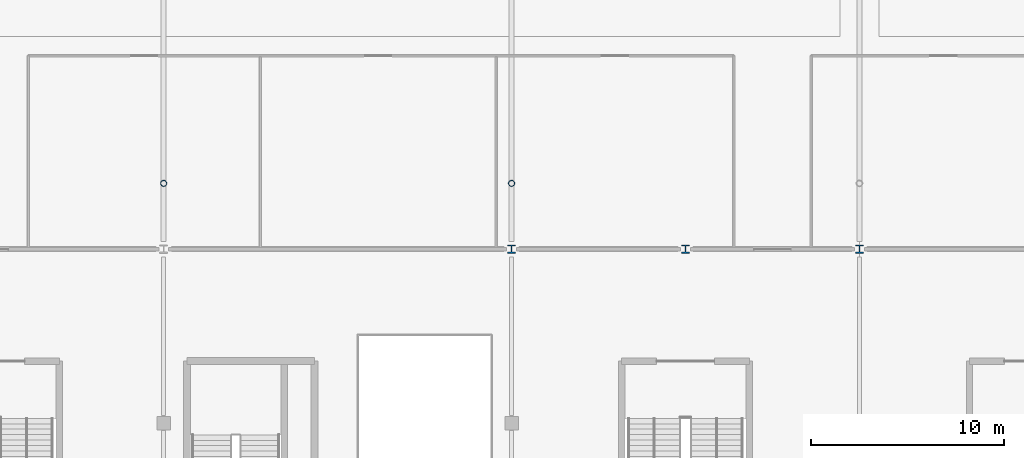
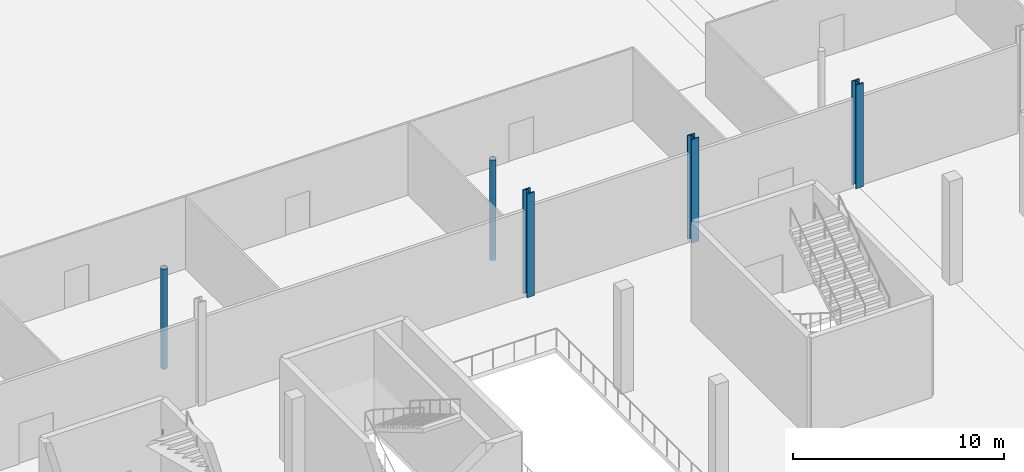
# One storey, part 4 of 84: 5 columns.
"""IFC4 building model written with IfcOpenShell, lengths in metres."""

import ifcopenshell
import ifcopenshell.guid

model = None  # the IFC model being written
_history = None  # IfcOwnerHistory: only IFC2X3 demands one
_inside = {}  # id of a spatial element -> (the spatial element, [elements in it])
_under = {}  # id of a project, library or spatial element -> (it, [spatial elements below it])
_declared = {}  # id of a project -> (the project, [libraries it declares])
_typed = {}  # id of a type object -> (the type object, [elements of that type])
_made_of = {}  # id of a material, layer set ... -> (it, [elements and type objects made of it])


def new_model(schema):
    """Start an empty IFC model of exactly this schema.

    Asked for "IFC4X3", IfcOpenShell would pick the latest addendum, in which some entities
    have other attributes; the version numbers below select the first issue.
    IFC2X3 requires an IfcOwnerHistory on every rooted entity: one is made here for all.
    """
    global model, _history
    if schema == "IFC4X3":
        model = ifcopenshell.file(schema_version=(4, 3, 0, 0))
    else:
        model = ifcopenshell.file(schema=schema)
    _inside.clear()
    _under.clear()
    _declared.clear()
    _typed.clear()
    _made_of.clear()
    _history = None
    if model.schema == "IFC2X3":
        org = make("IfcOrganization", Name="unknown")
        user = make(
            "IfcPersonAndOrganization",
            ThePerson=make("IfcPerson", FamilyName="unknown"),
            TheOrganization=org,
        )
        app = make(
            "IfcApplication",
            ApplicationDeveloper=org,
            Version="unknown",
            ApplicationFullName="unknown",
            ApplicationIdentifier="unknown",
        )
        _history = make(
            "IfcOwnerHistory",
            OwningUser=user,
            OwningApplication=app,
            ChangeAction="ADDED",
            CreationDate=0,
        )
    return model


def make(cls, **values):
    """One entity of the class cls with the attributes given. An attribute that is None is left unset."""
    return model.create_entity(
        cls, **{name: value for name, value in values.items() if value is not None}
    )


def rooted(cls, **values):
    """An entity with a GlobalId (a new one), such as an element, a storey or a relation."""
    return make(cls, GlobalId=ifcopenshell.guid.new(), OwnerHistory=_history, **values)


def si_unit(unit_type, name, prefix=None):
    """IfcSIUnit, for example si_unit("LENGTHUNIT", "METRE", prefix="MILLI")."""
    return make("IfcSIUnit", UnitType=unit_type, Prefix=prefix, Name=name)


def assignment(units):
    """IfcUnitAssignment: the units of a project."""
    return None if units is None else make("IfcUnitAssignment", Units=units)


def point(xyz):
    """IfcCartesianPoint."""
    return None if xyz is None else make("IfcCartesianPoint", Coordinates=xyz)


def direction(xyz):
    """IfcDirection."""
    return None if xyz is None else make("IfcDirection", DirectionRatios=xyz)


def frame(location, z_axis=None, x_axis=None):
    """IfcAxis2Placement3D, a coordinate frame: its origin and axes. An axis left out is left unset."""
    return make(
        "IfcAxis2Placement3D",
        Location=point(location),
        Axis=direction(z_axis),
        RefDirection=direction(x_axis),
    )


def frame_2d(location, x_axis=None):
    """IfcAxis2Placement2D, a coordinate frame in the plane: its origin and x axis."""
    return make(
        "IfcAxis2Placement2D", Location=point(location), RefDirection=direction(x_axis)
    )


def origin():
    """The frame at (0, 0, 0) with its axes left unset."""
    return frame((0.0, 0.0, 0.0))


def origin_2d():
    """The frame at (0, 0) in the plane with its x axis left unset."""
    return frame_2d((0.0, 0.0))


def place(relative_to, where):
    """IfcLocalPlacement: puts the frame where relative to a parent placement (None: the world)."""
    return make(
        "IfcLocalPlacement", PlacementRelTo=relative_to, RelativePlacement=where
    )


def context(
    kind, dimensions, precision=None, world=None, true_north=None, identifier=None
):
    """IfcGeometricRepresentationContext, for example the 3D "Model" context."""
    return make(
        "IfcGeometricRepresentationContext",
        ContextIdentifier=identifier,
        ContextType=kind,
        CoordinateSpaceDimension=dimensions,
        Precision=precision,
        WorldCoordinateSystem=world,
        TrueNorth=true_north,
    )


def subcontext(parent, identifier, kind, view, scale=None):
    """IfcGeometricRepresentationSubContext, for example "Body" below "Model"."""
    return make(
        "IfcGeometricRepresentationSubContext",
        ContextIdentifier=identifier,
        ContextType=kind,
        ParentContext=parent,
        TargetScale=scale,
        TargetView=view,
    )


def project(units=None, contexts=None):
    """IfcProject with its units and contexts."""
    return rooted(
        "IfcProject",
        Name="project",
        RepresentationContexts=contexts,
        UnitsInContext=assignment(units),
    )


def spatial(cls, under=None, at=None, **own):
    """A site, building, storey or space (cls), placed at a placement, below another one or the project."""
    s = rooted(cls, ObjectPlacement=at, **own)
    if under is not None:
        _under.setdefault(under.id(), (under, []))[1].append(s)
    return s


def profile(cls, at=None, kind="AREA", **sizes):
    """A parametric profile (cls). Its sizes go by their IFC names, for example OverallWidth=200.0."""
    return make(cls, ProfileType=kind, Position=at, **sizes)


def hollow_circle(**sizes):
    """IfcCircleHollowProfileDef."""
    return profile("IfcCircleHollowProfileDef", **sizes)


def i_section(**sizes):
    """IfcIShapeProfileDef."""
    return profile("IfcIShapeProfileDef", **sizes)


def extrude(swept, where, along, depth):
    """IfcExtrudedAreaSolid: the profile swept, set in the frame where, extruded along a direction by depth."""
    return make(
        "IfcExtrudedAreaSolid",
        SweptArea=swept,
        Position=where,
        ExtrudedDirection=direction(along),
        Depth=depth,
    )


def shape(context_of_items, identifier, shape_type, items):
    """IfcShapeRepresentation: the items that make up one representation, for example the "Body"."""
    return make(
        "IfcShapeRepresentation",
        ContextOfItems=context_of_items,
        RepresentationIdentifier=identifier,
        RepresentationType=shape_type,
        Items=items,
    )


def material(Name=None, Category=None):
    """IfcMaterial."""
    return make("IfcMaterial", Name=Name, Category=Category)


def material_profile(
    of_material, cross_section, Name=None, Category=None, Priority=None
):
    """IfcMaterialProfile: a cross section and its material."""
    return make(
        "IfcMaterialProfile",
        Name=Name,
        Material=of_material,
        Profile=cross_section,
        Priority=Priority,
        Category=Category,
    )


def profile_set(profiles, Name=None, composite=None):
    """IfcMaterialProfileSet."""
    return make(
        "IfcMaterialProfileSet",
        Name=Name,
        MaterialProfiles=profiles,
        CompositeProfile=composite,
    )


def made_of(thing, what):
    """Note that an element or type object is made of a material, layer set ...; save() writes the relation."""
    if what is not None:
        _made_of.setdefault(what.id(), (what, []))[1].append(thing)
    return thing


def type_object(cls, material=None, **own):
    """A type object (cls), such as IfcWallType, which elements share."""
    return made_of(rooted(cls, **own), material)


def element(
    cls,
    number,
    at=None,
    inside=None,
    cuts=None,
    type_object=None,
    material=None,
    context=None,
    identifier="Body",
    shape_type=None,
    held_by="IfcProductDefinitionShape",
    body=None,
    shapes=None,
    **own,
):
    """One element of the class cls, such as IfcWall. Its Tag is "e" and its number.

    at: its placement. inside: the storey or other place that contains it. cuts: it is an
    opening in that element (IfcRelVoidsElement). A single representation is given by context,
    identifier, shape_type and body (its items); several are given by shapes. held_by: the class
    of the entity that holds the representations. save() writes the other relations.
    """
    e = rooted(cls, Tag="e%d" % number, ObjectPlacement=at, **own)
    if body is not None:
        shapes = [shape(context, identifier, shape_type, body)]
    if shapes is not None:
        e.Representation = make(held_by, Representations=shapes)
    if inside is not None:
        _inside.setdefault(inside.id(), (inside, []))[1].append(e)
    if cuts is not None:
        rooted(
            "IfcRelVoidsElement", RelatingBuildingElement=cuts, RelatedOpeningElement=e
        )
    if type_object is not None:
        _typed.setdefault(type_object.id(), (type_object, []))[1].append(e)
    return made_of(e, material)


def aggregate(whole, parts):
    """IfcRelAggregates: a whole, such as a stair, and the parts it consists of."""
    return rooted("IfcRelAggregates", RelatingObject=whole, RelatedObjects=parts)


def save(model, path):
    """Write the relations noted so far, then the file.

    IfcRelAggregates (storeys below a building ...), IfcRelContainedInSpatialStructure (elements
    in a storey), IfcRelDefinesByType, IfcRelAssociatesMaterial and IfcRelDeclares: one each for
    every whole, place, type object, material and project.
    """
    for whole, parts in _under.values():
        aggregate(whole, parts)
    for where, things in _inside.values():
        rooted(
            "IfcRelContainedInSpatialStructure",
            RelatedElements=things,
            RelatingStructure=where,
        )
    for kind, things in _typed.values():
        rooted("IfcRelDefinesByType", RelatedObjects=things, RelatingType=kind)
    for what, things in _made_of.values():
        rooted("IfcRelAssociatesMaterial", RelatedObjects=things, RelatingMaterial=what)
    for by, libraries in _declared.values():
        rooted("IfcRelDeclares", RelatingContext=by, RelatedDefinitions=libraries)
    model.write(path)


model = new_model("IFC4")

# Units and contexts
model_context = context("Model", 3, precision=1e-05, world=origin(), true_north=direction((0.0, 1.0)))
body_context = subcontext(model_context, "Body", "Model", "MODEL_VIEW")
ifc_project = project(units=[si_unit("LENGTHUNIT", "METRE"), si_unit("AREAUNIT", "SQUARE_METRE"), si_unit("VOLUMEUNIT", "CUBIC_METRE"), si_unit("PLANEANGLEUNIT", "RADIAN"), si_unit("MASSUNIT", "GRAM", prefix="KILO")], contexts=[model_context])

# Site, building, storey
site_placement = place(None, origin())
site = spatial("IfcSite", under=ifc_project, at=site_placement, CompositionType="ELEMENT")
building_placement = place(site_placement, origin())
building = spatial("IfcBuilding", under=site, at=building_placement, Name="Kisiwana Market Hall", CompositionType="ELEMENT")
storey_placement = place(building_placement, origin())
storey = spatial("IfcBuildingStorey", under=building, at=storey_placement, Name="L00", CompositionType="ELEMENT", Elevation=0.0)

# Columns
ifc_material_1 = material(Name="Steel S355", Category="steel")
ifc_material_profile_1 = material_profile(ifc_material_1, hollow_circle(Radius=0.161865234375, WallThickness=0.01611328125, at=origin_2d()), Name="CHS 323.9x16.0")
ifc_profile_set_1 = profile_set([ifc_material_profile_1], Name="Steel S355")
column_type_1 = type_object("IfcColumnType", Name="COL-STL-CHS324", PredefinedType="COLUMN", material=ifc_profile_set_1)
for number, where, z_axis, x_axis, name in (
    (1, (63.0, 39.39990234375, 0.0), (0.0, 0.0, 1.0), (1.0, 0.0, 0.0), "Gallery post E/8 (L00) C-0334"),
    (2, (81.0, 39.39990234375, 0.0), (0.0, 0.0, 1.0), (1.0, 0.0, 0.0), "Gallery post E/10 (L00) C-0336"),
):
    element("IfcColumn", number, at=place(storey_placement, frame(where, z_axis=z_axis, x_axis=x_axis)), inside=storey, type_object=column_type_1, Name=name, PredefinedType="COLUMN", context=body_context, shape_type="SweptSolid", body=[
        extrude(hollow_circle(Radius=0.161865234375, WallThickness=0.01611328125, at=origin_2d()), origin(), (0.0, 0.0, 1.0), 5.800048828125),
    ])
ifc_material_2 = material(Name="Steel S355", Category="steel")
ifc_material_profile_2 = material_profile(ifc_material_2, i_section(OverallWidth=0.412109375, OverallDepth=0.43505859375, WebThickness=0.035888671875, FlangeThickness=0.05810546875, at=origin_2d()), Name="HD 400x463")
ifc_profile_set_2 = profile_set([ifc_material_profile_2], Name="Steel S355")
column_type_2 = type_object("IfcColumnType", Name="COL-STL-HD463", PredefinedType="COLUMN", material=ifc_profile_set_2)
for number, where, z_axis, x_axis, name in (
    (3, (81.0, 36.0, 0.0), (0.0, 0.0, 1.0), (1.0, 0.0, 0.0), "Column E/10 (L00) C-0247"),
    (4, (90.0, 36.0, 0.0), (0.0, 0.0, 1.0), (1.0, 0.0, 0.0), "Column E/11 (L00) C-0253"),
    (5, (99.0, 36.0, 0.0), (0.0, 0.0, 1.0), (1.0, 0.0, 0.0), "Column E/12 (L00) C-0258"),
):
    element("IfcColumn", number, at=place(storey_placement, frame(where, z_axis=z_axis, x_axis=x_axis)), inside=storey, type_object=column_type_2, Name=name, PredefinedType="COLUMN", context=body_context, shape_type="SweptSolid", body=[
        extrude(i_section(OverallWidth=0.412109375, OverallDepth=0.43505859375, WebThickness=0.035888671875, FlangeThickness=0.05810546875, at=origin_2d()), origin(), (0.0, 0.0, 1.0), 6.0),
    ])

save(model, "model.ifc")
